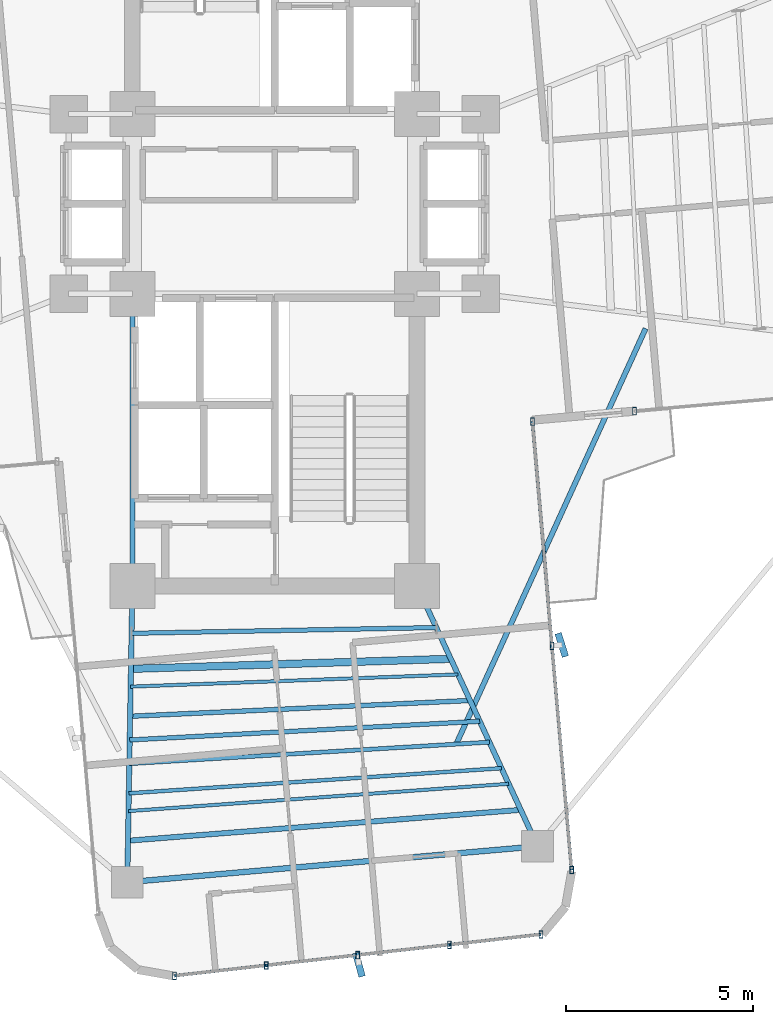
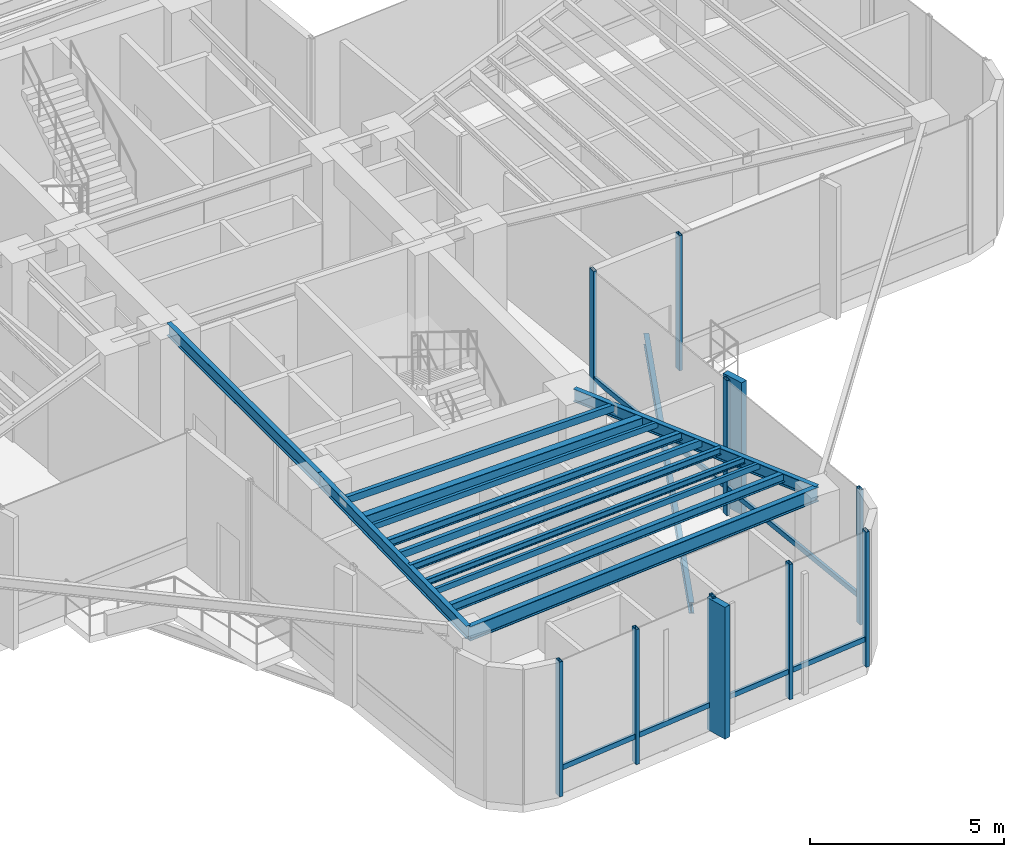
# One storey, part 3 of 19: 17 members, 14 beams, 3 elements without a shape of their own.
"""IFC4 building model written with IfcOpenShell, lengths in metres."""

from ifc_helpers import new_model, si_unit, direction, frame, origin, origin_2d, place, context, subcontext, project, spatial, rectangle, hollow_rectangle, i_section, extrude, source, transform, mapped, material, material_profile, profile_set, type_object, element, aggregate, save


model = new_model("IFC4")

# Units and contexts
model_context = context("Model", 3, precision=1e-05, world=origin(), true_north=direction((0.0, 1.0)))
body_context = subcontext(model_context, "Body", "Model", "MODEL_VIEW")
ifc_project = project(units=[si_unit("LENGTHUNIT", "METRE"), si_unit("AREAUNIT", "SQUARE_METRE"), si_unit("VOLUMEUNIT", "CUBIC_METRE"), si_unit("PLANEANGLEUNIT", "RADIAN"), si_unit("MASSUNIT", "GRAM", prefix="KILO")], contexts=[model_context])

# Site, building, storey
site_placement = place(None, origin())
site = spatial("IfcSite", under=ifc_project, at=site_placement, CompositionType="ELEMENT")
building_placement = place(site_placement, origin())
building = spatial("IfcBuilding", under=site, at=building_placement, Name="Sahyath Konkavel Grand Hotel", CompositionType="ELEMENT")
storey_placement = place(building_placement, frame((0.0, 0.0, 142.75)))
storey = spatial("IfcBuildingStorey", under=building, at=storey_placement, Name="L39", CompositionType="ELEMENT", Elevation=142.75)

# Beams
ifc_material_1 = material(Name="Steel E350", Category="steel")
ifc_material_profile_1 = material_profile(ifc_material_1, i_section(OverallWidth=0.139892578125, OverallDepth=0.39990234375, WebThickness=0.0087890625, FlangeThickness=0.01611328125, FilletRadius=0.013916015625, at=origin_2d()), Name="ISMB 400")
ifc_profile_set_1 = profile_set([ifc_material_profile_1], Name="Steel E350")
beam_type_1 = type_object("IfcBeamType", Name="BM-ISMB400", PredefinedType="BEAM", material=ifc_profile_set_1)
shared_shape_1 = source(origin(), body_context, "Body", "SweptSolid", [
    extrude(i_section(OverallWidth=0.139892578125, OverallDepth=0.39990234375, WebThickness=0.0087890625, FlangeThickness=0.01611328125, FilletRadius=0.013916015625, at=origin_2d()), origin(), (0.0, 0.0, 1.0), 7.800048828125),
])
beam_1_placement = place(storey_placement, frame((-3.800048828125, -10.199951171875, 4.06005859375), z_axis=(0.0, 1.0, 0.0), x_axis=(-1.0, 0.0, 0.0)))
element("IfcBeam", 1, at=beam_1_placement, inside=storey, type_object=beam_type_1, Name="str:bm:L39:SC-W", PredefinedType="BEAM", context=body_context, shape_type="MappedRepresentation", body=[
    mapped(shared_shape_1, transform((0.0, 0.0, 0.0), scale=1.0)),
])
shared_shape_2 = source(origin(), body_context, "Body", "SweptSolid", [
    extrude(i_section(OverallWidth=0.139892578125, OverallDepth=0.39990234375, WebThickness=0.0087890625, FlangeThickness=0.01611328125, FilletRadius=0.013916015625, at=origin_2d()), origin(), (0.0, 0.0, 1.0), 7.913330078125),
])
beam_2_placement = place(storey_placement, frame((-3.800048828125, -10.199951171875, 4.06005859375), z_axis=(-0.017215419232, -0.999851803689, 0.0), x_axis=(0.999851803689, -0.017215419232, 0.0)))
element("IfcBeam", 2, at=beam_2_placement, inside=storey, type_object=beam_type_1, Name="L39 Cruciform Radial Girder SA", PredefinedType="BEAM", context=body_context, shape_type="MappedRepresentation", body=[
    mapped(shared_shape_2, transform((0.0, 0.0, 0.0), scale=1.0)),
])
shared_shape_3 = source(origin(), body_context, "Body", "SweptSolid", [
    extrude(i_section(OverallWidth=0.139892578125, OverallDepth=0.39990234375, WebThickness=0.0087890625, FlangeThickness=0.01611328125, FilletRadius=0.013916015625, at=origin_2d()), origin(), (0.0, 0.0, 1.0), 7.66357421875),
])
beam_3_placement = place(storey_placement, frame((3.800048828125, -10.199951171875, 4.06005859375), z_axis=(0.420395127561, -0.907341135804, 0.0), x_axis=(0.907341135804, 0.420395127561, 0.0)))
element("IfcBeam", 3, at=beam_3_placement, inside=storey, type_object=beam_type_1, Name="L39 Cruciform Radial Girder SB", PredefinedType="BEAM", context=body_context, shape_type="MappedRepresentation", body=[
    mapped(shared_shape_3, transform((0.0, 0.0, 0.0), scale=1.0)),
])
ifc_material_profile_2 = material_profile(ifc_material_1, i_section(OverallWidth=0.14990234375, OverallDepth=0.449951171875, WebThickness=0.009521484375, FlangeThickness=0.017333984375, FilletRadius=0.014892578125, at=origin_2d()), Name="ISMB 450")
ifc_profile_set_2 = profile_set([ifc_material_profile_2], Name="Steel E350")
beam_type_2 = type_object("IfcBeamType", Name="BM-ISMB450", PredefinedType="BEAM", material=ifc_profile_set_2)
shared_shape_4 = source(origin(), body_context, "Body", "SweptSolid", [
    extrude(i_section(OverallWidth=0.14990234375, OverallDepth=0.449951171875, WebThickness=0.009521484375, FlangeThickness=0.017333984375, FilletRadius=0.014892578125, at=origin_2d()), origin(), (0.0, 0.0, 1.0), 10.999755859375),
])
beam_4_placement = place(storey_placement, frame((-3.936279296875, -18.112060546875, 4.034912109375), z_axis=(0.99619439202, 0.087159241098, 0.0), x_axis=(-0.087159241098, 0.99619439202, 0.0)))
element("IfcBeam", 4, at=beam_4_placement, inside=storey, type_object=beam_type_2, Name="L39 Wing Tip Edge Beam S", PredefinedType="BEAM", context=body_context, shape_type="MappedRepresentation", body=[
    mapped(shared_shape_4, transform((0.0, 0.0, 0.0), scale=1.0)),
])
ifc_material_profile_3 = material_profile(ifc_material_1, i_section(OverallWidth=0.199951171875, OverallDepth=0.449951171875, WebThickness=0.00927734375, FlangeThickness=0.015380859375, FilletRadius=0.01611328125, at=origin_2d()), Name="ISWB 450")
ifc_profile_set_3 = profile_set([ifc_material_profile_3], Name="Steel E350")
beam_type_3 = type_object("IfcBeamType", Name="BM-ISWB450", PredefinedType="BEAM", material=ifc_profile_set_3)
shared_shape_5 = source(origin(), body_context, "Body", "SweptSolid", [
    extrude(i_section(OverallWidth=0.199951171875, OverallDepth=0.449951171875, WebThickness=0.00927734375, FlangeThickness=0.015380859375, FilletRadius=0.01611328125, at=origin_2d()), origin(), (0.0, 0.0, 1.0), 8.54443359375),
])
beam_5_placement = place(storey_placement, frame((-3.838134765625, -12.415283203125, 4.034912109375), z_axis=(0.999506849365, 0.031401561632, 0.0), x_axis=(-0.031401561632, 0.999506849365, 0.0)))
element("IfcBeam", 5, at=beam_5_placement, inside=storey, type_object=beam_type_3, Name="L39 Secondary Floor Beam S-1", PredefinedType="BEAM", context=body_context, shape_type="MappedRepresentation", body=[
    mapped(shared_shape_5, transform((0.0, 0.0, 0.0), scale=1.0)),
])
ifc_material_profile_4 = material_profile(ifc_material_1, hollow_rectangle(XDim=0.1201171875, YDim=0.219970703125, WallThickness=0.010009765625, at=origin_2d()), Name="RHS 220x120x10")
ifc_profile_set_4 = profile_set([ifc_material_profile_4], Name="Steel E350")
beam_type_4 = type_object("IfcBeamType", Name="BM-RHS220", PredefinedType="BEAM", material=ifc_profile_set_4)
shared_shape_6 = source(origin(), body_context, "Body", "SweptSolid", [
    extrude(hollow_rectangle(XDim=0.1201171875, YDim=0.219970703125, WallThickness=0.010009765625, at=origin_2d()), origin(), (0.0, 0.0, 1.0), 9.359375),
])
beam_6_placement = place(storey_placement, frame((-3.870849609375, -14.314208984375, 4.14990234375), z_axis=(0.998580397723, 0.053265272769, 0.0), x_axis=(-0.053265272769, 0.998580397723, 0.0)))
element("IfcBeam", 6, at=beam_6_placement, inside=storey, type_object=beam_type_4, Name="L39 Secondary Floor Beam S-2", PredefinedType="BEAM", context=body_context, shape_type="MappedRepresentation", body=[
    mapped(shared_shape_6, transform((0.0, 0.0, 0.0), scale=1.0)),
])
ifc_material_profile_5 = material_profile(ifc_material_1, hollow_rectangle(XDim=0.090087890625, YDim=0.179931640625, WallThickness=0.008056640625, at=origin_2d()), Name="RHS 180x90x8")
ifc_profile_set_5 = profile_set([ifc_material_profile_5], Name="Steel E350")
beam_type_5 = type_object("IfcBeamType", Name="BM-RHS180", PredefinedType="BEAM", material=ifc_profile_set_5)
shared_shape_7 = source(origin(), body_context, "Body", "SweptSolid", [
    extrude(hollow_rectangle(XDim=0.090087890625, YDim=0.179931640625, WallThickness=0.008056640625, at=origin_2d()), origin(), (0.0, 0.0, 1.0), 10.178466796875),
])
beam_7_placement = place(storey_placement, frame((-3.90380859375, -16.213134765625, 4.169921875), z_axis=(0.997435268886, 0.071574327683, 0.0), x_axis=(-0.071574327683, 0.997435268886, 0.0)))
element("IfcBeam", 7, at=beam_7_placement, inside=storey, type_object=beam_type_5, Name="L39 Secondary Floor Beam S-3", PredefinedType="BEAM", context=body_context, shape_type="MappedRepresentation", body=[
    mapped(shared_shape_7, transform((0.0, 0.0, 0.0), scale=1.0)),
])
shared_shape_8 = source(origin(), body_context, "Body", "SweptSolid", [
    extrude(hollow_rectangle(XDim=0.1201171875, YDim=0.219970703125, WallThickness=0.010009765625, at=origin_2d()), origin(), (0.0, 0.0, 1.0), 8.138671875),
])
beam_8_placement = place(storey_placement, frame((-3.82177734375, -11.4658203125, 4.14990234375), z_axis=(0.99982253895, 0.018838540488, 0.0), x_axis=(-0.018838540488, 0.99982253895, 0.0)))
element("IfcBeam", 8, at=beam_8_placement, inside=storey, type_object=beam_type_4, Name="L39 Composite Deck Sub-Beam S-1", PredefinedType="BEAM", context=body_context, shape_type="MappedRepresentation", body=[
    mapped(shared_shape_8, transform((0.0, 0.0, 0.0), scale=1.0)),
])
shared_shape_9 = source(origin(), body_context, "Body", "SweptSolid", [
    extrude(hollow_rectangle(XDim=0.090087890625, YDim=0.179931640625, WallThickness=0.008056640625, at=origin_2d()), origin(), (0.0, 0.0, 1.0), 8.748046875),
])
beam_9_placement = place(storey_placement, frame((-3.846435546875, -12.89013671875, 4.169921875), z_axis=(0.999305704761, 0.037257327223, 0.0), x_axis=(-0.037257327223, 0.999305704761, 0.0)))
element("IfcBeam", 9, at=beam_9_placement, inside=storey, type_object=beam_type_5, Name="L39 Composite Deck Sub-Beam S-2", PredefinedType="BEAM", context=body_context, shape_type="MappedRepresentation", body=[
    mapped(shared_shape_9, transform((0.0, 0.0, 0.0), scale=1.0)),
])
ifc_material_profile_6 = material_profile(ifc_material_1, i_section(OverallWidth=0.125, OverallDepth=0.25, WebThickness=0.0068359375, FlangeThickness=0.012451171875, FilletRadius=0.012939453125, at=origin_2d()), Name="ISMB 250")
ifc_profile_set_6 = profile_set([ifc_material_profile_6], Name="Steel E350")
beam_type_6 = type_object("IfcBeamType", Name="BM-ISMB250", PredefinedType="BEAM", material=ifc_profile_set_6)
shared_shape_10 = source(origin(), body_context, "Body", "SweptSolid", [
    extrude(i_section(OverallWidth=0.125, OverallDepth=0.25, WebThickness=0.0068359375, FlangeThickness=0.012451171875, FilletRadius=0.012939453125, at=origin_2d()), origin(), (0.0, 0.0, 1.0), 9.08740234375),
])
beam_10_placement = place(storey_placement, frame((-3.860107421875, -13.681396484375, 4.135009765625), z_axis=(0.998921825199, 0.046423993167, 0.0), x_axis=(-0.046423993167, 0.998921825199, 0.0)))
element("IfcBeam", 10, at=beam_10_placement, inside=storey, type_object=beam_type_6, Name="L39 Composite Deck Sub-Beam S-3", PredefinedType="BEAM", context=body_context, shape_type="MappedRepresentation", body=[
    mapped(shared_shape_10, transform((0.0, 0.0, 0.0), scale=1.0)),
])
ifc_material_profile_7 = material_profile(ifc_material_1, i_section(OverallWidth=0.110107421875, OverallDepth=0.22509765625, WebThickness=0.006591796875, FlangeThickness=0.01171875, FilletRadius=0.011962890625, at=origin_2d()), Name="ISMB 225")
ifc_profile_set_7 = profile_set([ifc_material_profile_7], Name="Steel E350")
beam_type_7 = type_object("IfcBeamType", Name="BM-ISMB225", PredefinedType="BEAM", material=ifc_profile_set_7)
shared_shape_11 = source(origin(), body_context, "Body", "SweptSolid", [
    extrude(i_section(OverallWidth=0.110107421875, OverallDepth=0.22509765625, WebThickness=0.006591796875, FlangeThickness=0.01171875, FilletRadius=0.011962890625, at=origin_2d()), origin(), (0.0, 0.0, 1.0), 9.6318359375),
])
beam_11_placement = place(storey_placement, frame((-3.8818359375, -14.947265625, 4.1474609375), z_axis=(0.998215316487, 0.059717517791, 0.0), x_axis=(-0.059717517791, 0.998215316487, 0.0)))
element("IfcBeam", 11, at=beam_11_placement, inside=storey, type_object=beam_type_7, Name="L39 Composite Deck Sub-Beam S-4", PredefinedType="BEAM", context=body_context, shape_type="MappedRepresentation", body=[
    mapped(shared_shape_11, transform((0.0, 0.0, 0.0), scale=1.0)),
])
ifc_material_profile_8 = material_profile(ifc_material_1, i_section(OverallWidth=0.10009765625, OverallDepth=0.199951171875, WebThickness=0.005615234375, FlangeThickness=0.0107421875, FilletRadius=0.010986328125, at=origin_2d()), Name="ISMB 200")
ifc_profile_set_8 = profile_set([ifc_material_profile_8], Name="Steel E350")
beam_type_8 = type_object("IfcBeamType", Name="BM-ISMB200", PredefinedType="BEAM", material=ifc_profile_set_8)
shared_shape_12 = source(origin(), body_context, "Body", "SweptSolid", [
    extrude(i_section(OverallWidth=0.10009765625, OverallDepth=0.199951171875, WebThickness=0.005615234375, FlangeThickness=0.0107421875, FilletRadius=0.010986328125, at=origin_2d()), origin(), (0.0, 0.0, 1.0), 9.973388671875),
])
beam_12_placement = place(storey_placement, frame((-3.8955078125, -15.73828125, 4.159912109375), z_axis=(0.997734833375, 0.067269623684, 0.0), x_axis=(-0.067269623684, 0.997734833375, 0.0)))
element("IfcBeam", 12, at=beam_12_placement, inside=storey, type_object=beam_type_8, Name="L39 Composite Deck Sub-Beam S-5", PredefinedType="BEAM", context=body_context, shape_type="MappedRepresentation", body=[
    mapped(shared_shape_12, transform((0.0, 0.0, 0.0), scale=1.0)),
])
ifc_material_profile_9 = material_profile(ifc_material_1, i_section(OverallWidth=0.139892578125, OverallDepth=0.27490234375, WebThickness=0.00634765625, FlangeThickness=0.0087890625, FilletRadius=0.012939453125, at=origin_2d()), Name="ISLB 275")
ifc_profile_set_9 = profile_set([ifc_material_profile_9], Name="Steel E350")
beam_type_9 = type_object("IfcBeamType", Name="BM-ISLB275", PredefinedType="BEAM", material=ifc_profile_set_9)
shared_shape_13 = source(origin(), body_context, "Body", "SweptSolid", [
    extrude(i_section(OverallWidth=0.139892578125, OverallDepth=0.27490234375, WebThickness=0.00634765625, FlangeThickness=0.0087890625, FilletRadius=0.012939453125, at=origin_2d()), origin(), (0.0, 0.0, 1.0), 10.5205078125),
])
beam_13_placement = place(storey_placement, frame((-3.917236328125, -17.00439453125, 4.12255859375), z_axis=(0.996922679946, 0.078391136033, 0.0), x_axis=(-0.078391136033, 0.996922679946, 0.0)))
element("IfcBeam", 13, at=beam_13_placement, inside=storey, type_object=beam_type_9, Name="L39 Composite Deck Sub-Beam S-6", PredefinedType="BEAM", context=body_context, shape_type="MappedRepresentation", body=[
    mapped(shared_shape_13, transform((0.0, 0.0, 0.0), scale=1.0)),
])

# Curtain wall, member
ifc_material_2 = material(Name="Anodised Bronze Aluminium & Low-E Glazing", Category="aluminium")
curtain_wall_type = type_object("IfcCurtainWallType", Name="CW-SKYLOBBY", PredefinedType="NOTDEFINED", material=ifc_material_2)
curtain_wall_1_placement = place(storey_placement, origin())
curtain_wall_1 = element("IfcCurtainWall", 14, at=curtain_wall_1_placement, inside=storey, type_object=curtain_wall_type, Name="L39 Unitised Curtain Wall F0", PredefinedType="NOTDEFINED")
ifc_material_3 = material(Name="Anodised Bronze Aluminium", Category="aluminium")
ifc_material_profile_10 = material_profile(ifc_material_3, hollow_rectangle(XDim=0.10009765625, YDim=0.199951171875, WallThickness=0.008056640625, at=origin_2d()), Name="RHS 200x100x8")
ifc_profile_set_10 = profile_set([ifc_material_profile_10], Name="Anodised Bronze Aluminium")
member_type_1 = type_object("IfcMemberType", Name="CW-MUL-200", PredefinedType="MULLION", material=ifc_profile_set_10)
shared_shape_14 = source(origin(), body_context, "Body", "SweptSolid", [
    extrude(hollow_rectangle(XDim=0.10009765625, YDim=0.199951171875, WallThickness=0.008056640625, at=origin_2d()), origin(), (0.0, 0.0, 1.0), 4.260009765625),
])
member_1_placement = place(storey_placement, frame((9.60888671875, -5.53369140625, 0.0), z_axis=(0.0, 0.0, 1.0), x_axis=(1.0, 0.0, 0.0)))
member_1 = element("IfcMember", 15, at=member_1_placement, type_object=member_type_1, Name="L39 Curtain Wall Mullion F0-0", PredefinedType="MULLION", context=body_context, shape_type="MappedRepresentation", body=[
    mapped(shared_shape_14, transform((0.0, 0.0, 0.0), scale=1.0)),
])
aggregate(curtain_wall_1, [member_1])

# Curtain wall, members
curtain_wall_2_placement = place(storey_placement, origin())
curtain_wall_2 = element("IfcCurtainWall", 16, at=curtain_wall_2_placement, inside=storey, type_object=curtain_wall_type, Name="L39 Unitised Curtain Wall F28", PredefinedType="NOTDEFINED")
member_2_placement = place(storey_placement, frame((-2.673828125, -20.610595703125, 0.0), z_axis=(0.0, 0.0, 1.0), x_axis=(1.0, 0.0, 0.0)))
member_2 = element("IfcMember", 17, at=member_2_placement, type_object=member_type_1, Name="L39 Curtain Wall Mullion F28-0", PredefinedType="MULLION", context=body_context, shape_type="MappedRepresentation", body=[
    mapped(shared_shape_14, transform((0.0, 0.0, 0.0), scale=1.0)),
])
member_3_placement = place(storey_placement, frame((-0.227294921875, -20.334716796875, 0.0), z_axis=(0.0, 0.0, 1.0), x_axis=(1.0, 0.0, 0.0)))
member_3 = element("IfcMember", 18, at=member_3_placement, type_object=member_type_1, Name="L39 Curtain Wall Mullion F28-1", PredefinedType="MULLION", context=body_context, shape_type="MappedRepresentation", body=[
    mapped(shared_shape_14, transform((0.0, 0.0, 0.0), scale=1.0)),
])
member_4_placement = place(storey_placement, frame((2.21923828125, -20.05908203125, 0.0), z_axis=(0.0, 0.0, 1.0), x_axis=(1.0, 0.0, 0.0)))
member_4 = element("IfcMember", 19, at=member_4_placement, type_object=member_type_1, Name="L39 Curtain Wall Mullion F28-2", PredefinedType="MULLION", context=body_context, shape_type="MappedRepresentation", body=[
    mapped(shared_shape_14, transform((0.0, 0.0, 0.0), scale=1.0)),
])
member_5_placement = place(storey_placement, frame((4.665771484375, -19.783203125, 0.0), z_axis=(0.0, 0.0, 1.0), x_axis=(1.0, 0.0, 0.0)))
member_5 = element("IfcMember", 20, at=member_5_placement, type_object=member_type_1, Name="L39 Curtain Wall Mullion F28-3", PredefinedType="MULLION", context=body_context, shape_type="MappedRepresentation", body=[
    mapped(shared_shape_14, transform((0.0, 0.0, 0.0), scale=1.0)),
])
member_6_placement = place(storey_placement, frame((7.1123046875, -19.507568359375, 0.0), z_axis=(0.0, 0.0, 1.0), x_axis=(1.0, 0.0, 0.0)))
member_6 = element("IfcMember", 21, at=member_6_placement, type_object=member_type_1, Name="L39 Curtain Wall Mullion F28-4", PredefinedType="MULLION", context=body_context, shape_type="MappedRepresentation", body=[
    mapped(shared_shape_14, transform((0.0, 0.0, 0.0), scale=1.0)),
])

curtain_wall_3_placement = place(storey_placement, origin())
curtain_wall_3 = element("IfcCurtainWall", 22, at=curtain_wall_3_placement, inside=storey, type_object=curtain_wall_type, Name="L39 Unitised Curtain Wall F31", PredefinedType="NOTDEFINED")
member_7_placement = place(storey_placement, frame((7.930419921875, -17.78662109375, 0.0), z_axis=(0.0, 0.0, 1.0), x_axis=(1.0, 0.0, 0.0)))
member_7 = element("IfcMember", 23, at=member_7_placement, type_object=member_type_1, Name="L39 Curtain Wall Mullion F31-0", PredefinedType="MULLION", context=body_context, shape_type="MappedRepresentation", body=[
    mapped(shared_shape_14, transform((0.0, 0.0, 0.0), scale=1.0)),
])
member_8_placement = place(storey_placement, frame((7.406494140625, -11.79931640625, 0.0), z_axis=(0.0, 0.0, 1.0), x_axis=(1.0, 0.0, 0.0)))
member_8 = element("IfcMember", 24, at=member_8_placement, type_object=member_type_1, Name="L39 Curtain Wall Mullion F31-1", PredefinedType="MULLION", context=body_context, shape_type="MappedRepresentation", body=[
    mapped(shared_shape_14, transform((0.0, 0.0, 0.0), scale=1.0)),
])
member_9_placement = place(storey_placement, frame((6.8828125, -5.812255859375, 0.0), z_axis=(0.0, 0.0, 1.0), x_axis=(1.0, 0.0, 0.0)))
member_9 = element("IfcMember", 25, at=member_9_placement, type_object=member_type_1, Name="L39 Curtain Wall Mullion F31-2", PredefinedType="MULLION", context=body_context, shape_type="MappedRepresentation", body=[
    mapped(shared_shape_14, transform((0.0, 0.0, 0.0), scale=1.0)),
])

# Member
ifc_material_4 = material(Name="Warm Buff Sandstone Cladding on Concrete C50/60", Category="masonry")
ifc_material_profile_11 = material_profile(ifc_material_4, rectangle(XDim=0.179931640625, YDim=0.64990234375, at=origin_2d()), Name="FIN 180x650")
ifc_profile_set_11 = profile_set([ifc_material_profile_11], Name="Warm Buff Sandstone Cladding on Concrete C50/60")
member_type_2 = type_object("IfcMemberType", Name="FIN-SANDSTONE-650", PredefinedType="MULLION", material=ifc_profile_set_11)
shared_shape_15 = source(origin(), body_context, "Body", "SweptSolid", [
    extrude(rectangle(XDim=0.179931640625, YDim=0.64990234375, at=origin_2d()), origin(), (0.0, 0.0, 1.0), 4.159912109375),
])
member_10_placement = place(storey_placement, frame((2.248291015625, -20.3173828125, 0.050048828125), z_axis=(0.0, 0.0, 1.0), x_axis=(0.963677080427, 0.267070186767, 0.0)))
member_10 = element("IfcMember", 26, at=member_10_placement, type_object=member_type_2, Name="L39 Sandstone Vertical Solar Fin FIN F28-2", PredefinedType="MULLION", context=body_context, shape_type="MappedRepresentation", body=[
    mapped(shared_shape_15, transform((0.0, 0.0, 0.0), scale=1.0)),
])

member_11_placement = place(storey_placement, frame((7.66552734375, -11.776611328125, 0.050048828125), z_axis=(0.0, 0.0, 1.0), x_axis=(0.954083620326, 0.299540390309, 0.0)))
member_11 = element("IfcMember", 27, at=member_11_placement, type_object=member_type_2, Name="L39 Sandstone Vertical Solar Fin FIN F31-1", PredefinedType="MULLION", context=body_context, shape_type="MappedRepresentation", body=[
    mapped(shared_shape_15, transform((0.0, 0.0, 0.0), scale=1.0)),
])

# Beam
ifc_material_profile_12 = material_profile(ifc_material_1, i_section(OverallWidth=0.139892578125, OverallDepth=0.35009765625, WebThickness=0.008056640625, FlangeThickness=0.01416015625, FilletRadius=0.013916015625, at=origin_2d()), Name="ISMB 350")
ifc_profile_set_12 = profile_set([ifc_material_profile_12], Name="Steel E350")
beam_type_10 = type_object("IfcBeamType", Name="BM-BALC-CANT", PredefinedType="BEAM", material=ifc_profile_set_12)
shared_shape_16 = source(origin(), body_context, "Body", "SweptSolid", [
    extrude(i_section(OverallWidth=0.139892578125, OverallDepth=0.35009765625, WebThickness=0.008056640625, FlangeThickness=0.01416015625, FilletRadius=0.013916015625, at=origin_2d()), origin(), (0.0, 0.0, 1.0), 12.190673828125),
])
beam_14_placement = place(storey_placement, frame((4.8486328125, -14.422119140625, -0.4951171875), z_axis=(0.414712580086, 0.909952458054, 0.0), x_axis=(-0.909952458054, 0.414712580086, 0.0)))
element("IfcBeam", 28, at=beam_14_placement, inside=storey, type_object=beam_type_10, Name="L39 Balcony Cantilever Support Beam SE", PredefinedType="BEAM", context=body_context, shape_type="MappedRepresentation", body=[
    mapped(shared_shape_16, transform((0.0, 0.0, 0.0), scale=1.0)),
])

# Member
ifc_material_profile_13 = material_profile(ifc_material_3, hollow_rectangle(XDim=0.080078125, YDim=0.159912109375, WallThickness=0.006103515625, at=origin_2d()), Name="RHS 160x80x6")
ifc_profile_set_13 = profile_set([ifc_material_profile_13], Name="Anodised Bronze Aluminium")
member_type_3 = type_object("IfcMemberType", Name="CW-TRN-160", PredefinedType="USERDEFINED", material=ifc_profile_set_13)
shared_shape_17 = source(origin(), body_context, "Body", "SweptSolid", [
    extrude(hollow_rectangle(XDim=0.080078125, YDim=0.159912109375, WallThickness=0.006103515625, at=origin_2d()), origin(), (0.0, 0.0, 1.0), 2.462158203125),
])
member_12_placement = place(storey_placement, frame((-2.673828125, -20.610595703125, 0.85009765625), z_axis=(0.99370222711, 0.112053040279, 0.0), x_axis=(-0.112053040279, 0.99370222711, 0.0)))
member_12 = element("IfcMember", 29, at=member_12_placement, type_object=member_type_3, Name="L39 Curtain Wall Transom F28-0-spandrel", ObjectType="TRANSOM", PredefinedType="USERDEFINED", context=body_context, shape_type="MappedRepresentation", body=[
    mapped(shared_shape_17, transform((0.0, 0.0, 0.0), scale=1.0)),
])

member_13_placement = place(storey_placement, frame((2.21923828125, -20.05908203125, 0.85009765625), z_axis=(0.99370222711, 0.112053040279, 0.0), x_axis=(-0.112053040279, 0.99370222711, 0.0)))
member_13 = element("IfcMember", 30, at=member_13_placement, type_object=member_type_3, Name="L39 Curtain Wall Transom F28-2-spandrel", ObjectType="TRANSOM", PredefinedType="USERDEFINED", context=body_context, shape_type="MappedRepresentation", body=[
    mapped(shared_shape_17, transform((0.0, 0.0, 0.0), scale=1.0)),
])

shared_shape_18 = source(origin(), body_context, "Body", "SweptSolid", [
    extrude(hollow_rectangle(XDim=0.080078125, YDim=0.159912109375, WallThickness=0.006103515625, at=origin_2d()), origin(), (0.0, 0.0, 1.0), 2.4619140625),
])
member_14_placement = place(storey_placement, frame((-0.227294921875, -20.334716796875, 0.85009765625), z_axis=(0.993713263833, 0.111955121731, 0.0), x_axis=(-0.111955121731, 0.993713263833, 0.0)))
member_14 = element("IfcMember", 31, at=member_14_placement, type_object=member_type_3, Name="L39 Curtain Wall Transom F28-1-spandrel", ObjectType="TRANSOM", PredefinedType="USERDEFINED", context=body_context, shape_type="MappedRepresentation", body=[
    mapped(shared_shape_18, transform((0.0, 0.0, 0.0), scale=1.0)),
])

member_15_placement = place(storey_placement, frame((4.665771484375, -19.783203125, 0.85009765625), z_axis=(0.993713263833, 0.111955121731, 0.0), x_axis=(-0.111955121731, 0.993713263833, 0.0)))
member_15 = element("IfcMember", 32, at=member_15_placement, type_object=member_type_3, Name="L39 Curtain Wall Transom F28-3-spandrel", ObjectType="TRANSOM", PredefinedType="USERDEFINED", context=body_context, shape_type="MappedRepresentation", body=[
    mapped(shared_shape_18, transform((0.0, 0.0, 0.0), scale=1.0)),
])

aggregate(curtain_wall_2, [member_2, member_3, member_4, member_10, member_5, member_6, member_12, member_14, member_13, member_15])

shared_shape_19 = source(origin(), body_context, "Body", "SweptSolid", [
    extrude(hollow_rectangle(XDim=0.080078125, YDim=0.159912109375, WallThickness=0.006103515625, at=origin_2d()), origin(), (0.0, 0.0, 1.0), 6.01025390625),
])
member_16_placement = place(storey_placement, frame((7.930419921875, -17.78662109375, 0.85009765625), z_axis=(-0.087172997156, 0.996193188376, 0.0), x_axis=(-0.996193188376, -0.087172997156, 0.0)))
member_16 = element("IfcMember", 33, at=member_16_placement, type_object=member_type_3, Name="L39 Curtain Wall Transom F31-0-spandrel", ObjectType="TRANSOM", PredefinedType="USERDEFINED", context=body_context, shape_type="MappedRepresentation", body=[
    mapped(shared_shape_19, transform((0.0, 0.0, 0.0), scale=1.0)),
])

shared_shape_20 = source(origin(), body_context, "Body", "SweptSolid", [
    extrude(hollow_rectangle(XDim=0.080078125, YDim=0.159912109375, WallThickness=0.006103515625, at=origin_2d()), origin(), (0.0, 0.0, 1.0), 6.010009765625),
])
member_17_placement = place(storey_placement, frame((7.406494140625, -11.79931640625, 0.85009765625), z_axis=(-0.087136210597, 0.996196406741, 0.0), x_axis=(-0.996196406741, -0.087136210597, 0.0)))
member_17 = element("IfcMember", 34, at=member_17_placement, type_object=member_type_3, Name="L39 Curtain Wall Transom F31-1-spandrel", ObjectType="TRANSOM", PredefinedType="USERDEFINED", context=body_context, shape_type="MappedRepresentation", body=[
    mapped(shared_shape_20, transform((0.0, 0.0, 0.0), scale=1.0)),
])

aggregate(curtain_wall_3, [member_7, member_8, member_11, member_9, member_16, member_17])

save(model, "model.ifc")
